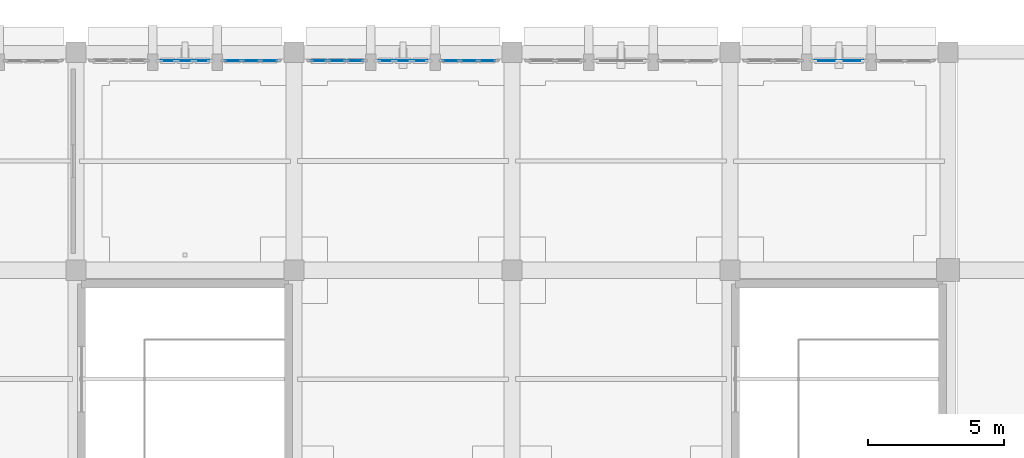
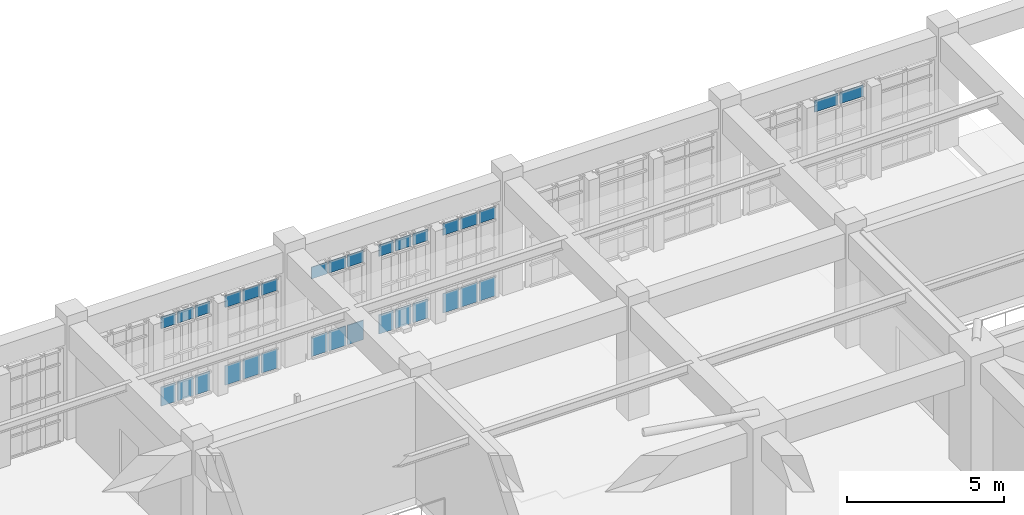
# One storey, part 127 of 155: 32 plates, 6 elements without a shape of their own.
"""IFC4 building model written with IfcOpenShell, lengths in metres."""

from ifc_helpers import new_model, si_unit, direction, frame, origin, origin_2d, place, context, subcontext, project, spatial, rectangle, extrude, material, layer, layer_set, type_object, element, aggregate, save


model = new_model("IFC4")

# Units and contexts
model_context = context("Model", 3, precision=1e-05, world=origin(), true_north=direction((0.0, 1.0)))
body_context = subcontext(model_context, "Body", "Model", "MODEL_VIEW")
ifc_project = project(units=[si_unit("LENGTHUNIT", "METRE"), si_unit("AREAUNIT", "SQUARE_METRE"), si_unit("VOLUMEUNIT", "CUBIC_METRE"), si_unit("PLANEANGLEUNIT", "RADIAN"), si_unit("MASSUNIT", "GRAM", prefix="KILO")], contexts=[model_context])

# Site, building, storey
site_placement = place(None, origin())
site = spatial("IfcSite", under=ifc_project, at=site_placement, CompositionType="ELEMENT")
building_placement = place(site_placement, origin())
building = spatial("IfcBuilding", under=site, at=building_placement, Name="Tazarka Park Arena", CompositionType="ELEMENT")
storey_placement = place(building_placement, frame((0.0, 0.0, 5.39990234375)))
storey = spatial("IfcBuildingStorey", under=building, at=storey_placement, Name="L01", CompositionType="ELEMENT", Elevation=5.39990234375)

# Curtain wall, plates
ifc_material_1 = material(Name="Aluminium and low-e glass", Category="aluminium")
ifc_layer_1 = layer(ifc_material_1, 0.179931640625, Name="Aluminium and low-e glass")
ifc_layer_set_1 = layer_set([ifc_layer_1], Name="Aluminium and low-e glass")
curtain_wall_type_1 = type_object("IfcCurtainWallType", Name="CW-03", PredefinedType="NOTDEFINED", material=ifc_layer_set_1)
curtain_wall_1_placement = place(storey_placement, origin())
curtain_wall_1 = element("IfcCurtainWall", 1, at=curtain_wall_1_placement, inside=storey, type_object=curtain_wall_type_1, Name="Curtain Wall CWA-L01-033", PredefinedType="NOTDEFINED")
ifc_material_2 = material(Name="Double low-e insulated glazing", Category="glass")
ifc_layer_2 = layer(ifc_material_2, 0.028076171875, Name="Double low-e insulated glazing")
ifc_layer_set_2 = layer_set([ifc_layer_2], Name="Double low-e insulated glazing")
plate_type_1 = type_object("IfcPlateType", Name="CWP-01", PredefinedType="CURTAIN_PANEL", material=ifc_layer_set_2)
plate_1_placement = place(storey_placement, frame((101.750244140625, 127.679931640625, 0.065185546875), z_axis=(0.0, 0.0, 1.0), x_axis=(1.0, 0.0, 0.0)))
plate_1 = element("IfcPlate", 2, at=plate_1_placement, type_object=plate_type_1, Name="CW-03 panel 1.1", PredefinedType="CURTAIN_PANEL", context=body_context, shape_type="SweptSolid", body=[
    extrude(rectangle(XDim=0.5869140625, YDim=0.028076171875, at=origin_2d()), origin(), (0.0, 0.0, 1.0), 0.75244140625),
])
plate_2_placement = place(storey_placement, frame((101.750244140625, 127.679931640625, 3.08251953125), z_axis=(0.0, 0.0, 1.0), x_axis=(1.0, 0.0, 0.0)))
plate_2 = element("IfcPlate", 3, at=plate_2_placement, type_object=plate_type_1, Name="CW-03 panel 1.4", PredefinedType="CURTAIN_PANEL", context=body_context, shape_type="SweptSolid", body=[
    extrude(rectangle(XDim=0.5869140625, YDim=0.028076171875, at=origin_2d()), origin(), (0.0, 0.0, 1.0), 0.452392578125),
])
plate_3_placement = place(storey_placement, frame((102.41845703125, 127.679931640625, 0.065185546875), z_axis=(0.0, 0.0, 1.0), x_axis=(1.0, 0.0, 0.0)))
plate_3 = element("IfcPlate", 4, at=plate_3_placement, type_object=plate_type_1, Name="CW-03 panel 2.1", PredefinedType="CURTAIN_PANEL", context=body_context, shape_type="SweptSolid", body=[
    extrude(rectangle(XDim=0.619384765625, YDim=0.028076171875, at=origin_2d()), origin(), (0.0, 0.0, 1.0), 0.75244140625),
])
plate_4_placement = place(storey_placement, frame((102.41845703125, 127.679931640625, 3.08251953125), z_axis=(0.0, 0.0, 1.0), x_axis=(1.0, 0.0, 0.0)))
plate_4 = element("IfcPlate", 5, at=plate_4_placement, type_object=plate_type_1, Name="CW-03 panel 2.4", PredefinedType="CURTAIN_PANEL", context=body_context, shape_type="SweptSolid", body=[
    extrude(rectangle(XDim=0.619384765625, YDim=0.028076171875, at=origin_2d()), origin(), (0.0, 0.0, 1.0), 0.452392578125),
])
plate_5_placement = place(storey_placement, frame((103.08642578125, 127.679931640625, 0.065185546875), z_axis=(0.0, 0.0, 1.0), x_axis=(1.0, 0.0, 0.0)))
plate_5 = element("IfcPlate", 6, at=plate_5_placement, type_object=plate_type_1, Name="CW-03 panel 3.1", PredefinedType="CURTAIN_PANEL", context=body_context, shape_type="SweptSolid", body=[
    extrude(rectangle(XDim=0.5869140625, YDim=0.028076171875, at=origin_2d()), origin(), (0.0, 0.0, 1.0), 0.75244140625),
])
plate_6_placement = place(storey_placement, frame((103.08642578125, 127.679931640625, 3.08251953125), z_axis=(0.0, 0.0, 1.0), x_axis=(1.0, 0.0, 0.0)))
plate_6 = element("IfcPlate", 7, at=plate_6_placement, type_object=plate_type_1, Name="CW-03 panel 3.4", PredefinedType="CURTAIN_PANEL", context=body_context, shape_type="SweptSolid", body=[
    extrude(rectangle(XDim=0.5869140625, YDim=0.028076171875, at=origin_2d()), origin(), (0.0, 0.0, 1.0), 0.452392578125),
])
aggregate(curtain_wall_1, [plate_1, plate_2, plate_3, plate_4, plate_5, plate_6])

ifc_material_3 = material(Name="Aluminium and low-e glass", Category="aluminium")
ifc_layer_3 = layer(ifc_material_3, 0.179931640625, Name="Aluminium and low-e glass")
ifc_layer_set_3 = layer_set([ifc_layer_3], Name="Aluminium and low-e glass")
curtain_wall_type_2 = type_object("IfcCurtainWallType", Name="CW-06", PredefinedType="NOTDEFINED", material=ifc_layer_set_3)
curtain_wall_2_placement = place(storey_placement, origin())
curtain_wall_2 = element("IfcCurtainWall", 8, at=curtain_wall_2_placement, inside=storey, type_object=curtain_wall_type_2, Name="Curtain Wall CWA-L01-036", PredefinedType="NOTDEFINED")
plate_7_placement = place(storey_placement, frame((93.750244140625, 127.679931640625, 0.065185546875), z_axis=(0.0, 0.0, 1.0), x_axis=(1.0, 0.0, 0.0)))
plate_7 = element("IfcPlate", 9, at=plate_7_placement, type_object=plate_type_1, Name="CW-06 panel 1.1", PredefinedType="CURTAIN_PANEL", context=body_context, shape_type="SweptSolid", body=[
    extrude(rectangle(XDim=0.5869140625, YDim=0.028076171875, at=origin_2d()), origin(), (0.0, 0.0, 1.0), 0.75244140625),
])
plate_8_placement = place(storey_placement, frame((93.750244140625, 127.679931640625, 3.08251953125), z_axis=(0.0, 0.0, 1.0), x_axis=(1.0, 0.0, 0.0)))
plate_8 = element("IfcPlate", 10, at=plate_8_placement, type_object=plate_type_1, Name="CW-06 panel 1.4", PredefinedType="CURTAIN_PANEL", context=body_context, shape_type="SweptSolid", body=[
    extrude(rectangle(XDim=0.5869140625, YDim=0.028076171875, at=origin_2d()), origin(), (0.0, 0.0, 1.0), 0.452392578125),
])
plate_9_placement = place(storey_placement, frame((94.41845703125, 127.679931640625, 0.065185546875), z_axis=(0.0, 0.0, 1.0), x_axis=(1.0, 0.0, 0.0)))
plate_9 = element("IfcPlate", 11, at=plate_9_placement, type_object=plate_type_1, Name="CW-06 panel 2.1", PredefinedType="CURTAIN_PANEL", context=body_context, shape_type="SweptSolid", body=[
    extrude(rectangle(XDim=0.619384765625, YDim=0.028076171875, at=origin_2d()), origin(), (0.0, 0.0, 1.0), 0.75244140625),
])
plate_10_placement = place(storey_placement, frame((94.41845703125, 127.679931640625, 3.08251953125), z_axis=(0.0, 0.0, 1.0), x_axis=(1.0, 0.0, 0.0)))
plate_10 = element("IfcPlate", 12, at=plate_10_placement, type_object=plate_type_1, Name="CW-06 panel 2.4", PredefinedType="CURTAIN_PANEL", context=body_context, shape_type="SweptSolid", body=[
    extrude(rectangle(XDim=0.619384765625, YDim=0.028076171875, at=origin_2d()), origin(), (0.0, 0.0, 1.0), 0.452392578125),
])
plate_11_placement = place(storey_placement, frame((95.08642578125, 127.679931640625, 0.065185546875), z_axis=(0.0, 0.0, 1.0), x_axis=(1.0, 0.0, 0.0)))
plate_11 = element("IfcPlate", 13, at=plate_11_placement, type_object=plate_type_1, Name="CW-06 panel 3.1", PredefinedType="CURTAIN_PANEL", context=body_context, shape_type="SweptSolid", body=[
    extrude(rectangle(XDim=0.5869140625, YDim=0.028076171875, at=origin_2d()), origin(), (0.0, 0.0, 1.0), 0.75244140625),
])
plate_12_placement = place(storey_placement, frame((95.08642578125, 127.679931640625, 3.08251953125), z_axis=(0.0, 0.0, 1.0), x_axis=(1.0, 0.0, 0.0)))
plate_12 = element("IfcPlate", 14, at=plate_12_placement, type_object=plate_type_1, Name="CW-06 panel 3.4", PredefinedType="CURTAIN_PANEL", context=body_context, shape_type="SweptSolid", body=[
    extrude(rectangle(XDim=0.5869140625, YDim=0.028076171875, at=origin_2d()), origin(), (0.0, 0.0, 1.0), 0.452392578125),
])
aggregate(curtain_wall_2, [plate_7, plate_8, plate_9, plate_10, plate_11, plate_12])

ifc_material_4 = material(Name="Aluminium and low-e glass", Category="aluminium")
ifc_layer_4 = layer(ifc_material_4, 0.179931640625, Name="Aluminium and low-e glass")
ifc_layer_set_4 = layer_set([ifc_layer_4], Name="Aluminium and low-e glass")
curtain_wall_type_3 = type_object("IfcCurtainWallType", Name="CW-01", PredefinedType="NOTDEFINED", material=ifc_layer_set_4)
curtain_wall_3_placement = place(storey_placement, origin())
curtain_wall_3 = element("IfcCurtainWall", 15, at=curtain_wall_3_placement, inside=storey, type_object=curtain_wall_type_3, Name="Curtain Wall CWA-L01-031", PredefinedType="NOTDEFINED")
ifc_material_5 = material(Name="Triple acoustic solar glazing", Category="glass")
ifc_layer_5 = layer(ifc_material_5, 0.031982421875, Name="Triple acoustic solar glazing")
ifc_layer_set_5 = layer_set([ifc_layer_5], Name="Triple acoustic solar glazing")
plate_type_2 = type_object("IfcPlateType", Name="CWP-02", PredefinedType="CURTAIN_PANEL", material=ifc_layer_set_5)
plate_13_placement = place(storey_placement, frame((96.91357421875, 127.679931640625, 0.065185546875), z_axis=(0.0, 0.0, 1.0), x_axis=(1.0, 0.0, 0.0)))
plate_13 = element("IfcPlate", 16, at=plate_13_placement, type_object=plate_type_2, Name="CW-01 panel 1.1", PredefinedType="CURTAIN_PANEL", context=body_context, shape_type="SweptSolid", body=[
    extrude(rectangle(XDim=0.5869140625, YDim=0.031982421875, at=origin_2d()), origin(), (0.0, 0.0, 1.0), 0.75244140625),
])
plate_14_placement = place(storey_placement, frame((96.91357421875, 127.679931640625, 3.08251953125), z_axis=(0.0, 0.0, 1.0), x_axis=(1.0, 0.0, 0.0)))
plate_14 = element("IfcPlate", 17, at=plate_14_placement, type_object=plate_type_2, Name="CW-01 panel 1.4", PredefinedType="CURTAIN_PANEL", context=body_context, shape_type="SweptSolid", body=[
    extrude(rectangle(XDim=0.5869140625, YDim=0.031982421875, at=origin_2d()), origin(), (0.0, 0.0, 1.0), 0.452392578125),
])
plate_15_placement = place(storey_placement, frame((97.58154296875, 127.679931640625, 0.065185546875), z_axis=(0.0, 0.0, 1.0), x_axis=(1.0, 0.0, 0.0)))
plate_15 = element("IfcPlate", 18, at=plate_15_placement, type_object=plate_type_2, Name="CW-01 panel 2.1", PredefinedType="CURTAIN_PANEL", context=body_context, shape_type="SweptSolid", body=[
    extrude(rectangle(XDim=0.619384765625, YDim=0.031982421875, at=origin_2d()), origin(), (0.0, 0.0, 1.0), 0.75244140625),
])
plate_16_placement = place(storey_placement, frame((97.58154296875, 127.679931640625, 3.08251953125), z_axis=(0.0, 0.0, 1.0), x_axis=(1.0, 0.0, 0.0)))
plate_16 = element("IfcPlate", 19, at=plate_16_placement, type_object=plate_type_2, Name="CW-01 panel 2.4", PredefinedType="CURTAIN_PANEL", context=body_context, shape_type="SweptSolid", body=[
    extrude(rectangle(XDim=0.619384765625, YDim=0.031982421875, at=origin_2d()), origin(), (0.0, 0.0, 1.0), 0.452392578125),
])
plate_17_placement = place(storey_placement, frame((98.249755859375, 127.679931640625, 0.065185546875), z_axis=(0.0, 0.0, 1.0), x_axis=(1.0, 0.0, 0.0)))
plate_17 = element("IfcPlate", 20, at=plate_17_placement, type_object=plate_type_2, Name="CW-01 panel 3.1", PredefinedType="CURTAIN_PANEL", context=body_context, shape_type="SweptSolid", body=[
    extrude(rectangle(XDim=0.5869140625, YDim=0.031982421875, at=origin_2d()), origin(), (0.0, 0.0, 1.0), 0.75244140625),
])
plate_18_placement = place(storey_placement, frame((98.249755859375, 127.679931640625, 3.08251953125), z_axis=(0.0, 0.0, 1.0), x_axis=(1.0, 0.0, 0.0)))
plate_18 = element("IfcPlate", 21, at=plate_18_placement, type_object=plate_type_2, Name="CW-01 panel 3.4", PredefinedType="CURTAIN_PANEL", context=body_context, shape_type="SweptSolid", body=[
    extrude(rectangle(XDim=0.5869140625, YDim=0.031982421875, at=origin_2d()), origin(), (0.0, 0.0, 1.0), 0.452392578125),
])
aggregate(curtain_wall_3, [plate_13, plate_14, plate_15, plate_16, plate_17, plate_18])

ifc_material_6 = material(Name="Aluminium and low-e glass", Category="aluminium")
ifc_layer_6 = layer(ifc_material_6, 0.179931640625, Name="Aluminium and low-e glass")
ifc_layer_set_6 = layer_set([ifc_layer_6], Name="Aluminium and low-e glass")
curtain_wall_type_4 = type_object("IfcCurtainWallType", Name="CW-26", PredefinedType="NOTDEFINED", material=ifc_layer_set_6)
curtain_wall_4_placement = place(storey_placement, origin())
curtain_wall_4 = element("IfcCurtainWall", 22, at=curtain_wall_4_placement, inside=storey, type_object=curtain_wall_type_4, Name="Curtain Wall CWA-L01-026", PredefinedType="NOTDEFINED")
ifc_material_7 = material(Name="Insulated aluminium spandrel panel", Category="aluminium")
ifc_layer_7 = layer(ifc_material_7, 0.035888671875, Name="Insulated aluminium spandrel panel")
ifc_layer_set_7 = layer_set([ifc_layer_7], Name="Insulated aluminium spandrel panel")
plate_type_3 = type_object("IfcPlateType", Name="CWP-03", PredefinedType="CURTAIN_PANEL", material=ifc_layer_set_7)
plate_19_placement = place(storey_placement, frame((115.532958984375, 127.679931640625, 3.087646484375), z_axis=(0.0, 0.0, 1.0), x_axis=(1.0, 0.0, 0.0)))
plate_19 = element("IfcPlate", 23, at=plate_19_placement, type_object=plate_type_3, Name="CW-26 panel 1.4", PredefinedType="CURTAIN_PANEL", context=body_context, shape_type="SweptSolid", body=[
    extrude(rectangle(XDim=0.859130859375, YDim=0.035888671875, at=origin_2d()), origin(), (0.0, 0.0, 1.0), 0.4375),
])
plate_20_placement = place(storey_placement, frame((116.467041015625, 127.679931640625, 3.087646484375), z_axis=(0.0, 0.0, 1.0), x_axis=(1.0, 0.0, 0.0)))
plate_20 = element("IfcPlate", 24, at=plate_20_placement, type_object=plate_type_3, Name="CW-26 panel 2.4", PredefinedType="CURTAIN_PANEL", context=body_context, shape_type="SweptSolid", body=[
    extrude(rectangle(XDim=0.859130859375, YDim=0.035888671875, at=origin_2d()), origin(), (0.0, 0.0, 1.0), 0.4375),
])
aggregate(curtain_wall_4, [plate_19, plate_20])

ifc_material_8 = material(Name="Aluminium and low-e glass", Category="aluminium")
ifc_layer_8 = layer(ifc_material_8, 0.179931640625, Name="Aluminium and low-e glass")
ifc_layer_set_8 = layer_set([ifc_layer_8], Name="Aluminium and low-e glass")
curtain_wall_type_5 = type_object("IfcCurtainWallType", Name="CW-02", PredefinedType="NOTDEFINED", material=ifc_layer_set_8)
curtain_wall_5_placement = place(storey_placement, origin())
curtain_wall_5 = element("IfcCurtainWall", 25, at=curtain_wall_5_placement, inside=storey, type_object=curtain_wall_type_5, Name="Curtain Wall CWA-L01-032", PredefinedType="NOTDEFINED")
plate_21_placement = place(storey_placement, frame((99.370849609375, 127.679931640625, 0.0751953125), z_axis=(0.0, 0.0, 1.0), x_axis=(1.0, 0.0, 0.0)))
plate_21 = element("IfcPlate", 26, at=plate_21_placement, type_object=plate_type_3, Name="CW-02 panel 1.1", PredefinedType="CURTAIN_PANEL", context=body_context, shape_type="SweptSolid", body=[
    extrude(rectangle(XDim=0.535400390625, YDim=0.035888671875, at=origin_2d()), origin(), (0.0, 0.0, 1.0), 0.737548828125),
])
plate_22_placement = place(storey_placement, frame((99.370849609375, 127.679931640625, 3.087646484375), z_axis=(0.0, 0.0, 1.0), x_axis=(1.0, 0.0, 0.0)))
plate_22 = element("IfcPlate", 27, at=plate_22_placement, type_object=plate_type_3, Name="CW-02 panel 1.4", PredefinedType="CURTAIN_PANEL", context=body_context, shape_type="SweptSolid", body=[
    extrude(rectangle(XDim=0.535400390625, YDim=0.035888671875, at=origin_2d()), origin(), (0.0, 0.0, 1.0), 0.4375),
])
plate_23_placement = place(storey_placement, frame((100.0, 127.679931640625, 0.0751953125), z_axis=(0.0, 0.0, 1.0), x_axis=(1.0, 0.0, 0.0)))
plate_23 = element("IfcPlate", 28, at=plate_23_placement, type_object=plate_type_3, Name="CW-02 panel 2.1", PredefinedType="CURTAIN_PANEL", context=body_context, shape_type="SweptSolid", body=[
    extrude(rectangle(XDim=0.57275390625, YDim=0.035888671875, at=origin_2d()), origin(), (0.0, 0.0, 1.0), 0.737548828125),
])
plate_24_placement = place(storey_placement, frame((100.0, 127.679931640625, 3.087646484375), z_axis=(0.0, 0.0, 1.0), x_axis=(1.0, 0.0, 0.0)))
plate_24 = element("IfcPlate", 29, at=plate_24_placement, type_object=plate_type_3, Name="CW-02 panel 2.4", PredefinedType="CURTAIN_PANEL", context=body_context, shape_type="SweptSolid", body=[
    extrude(rectangle(XDim=0.57275390625, YDim=0.035888671875, at=origin_2d()), origin(), (0.0, 0.0, 1.0), 0.4375),
])
plate_25_placement = place(storey_placement, frame((100.629150390625, 127.679931640625, 0.0751953125), z_axis=(0.0, 0.0, 1.0), x_axis=(1.0, 0.0, 0.0)))
plate_25 = element("IfcPlate", 30, at=plate_25_placement, type_object=plate_type_3, Name="CW-02 panel 3.1", PredefinedType="CURTAIN_PANEL", context=body_context, shape_type="SweptSolid", body=[
    extrude(rectangle(XDim=0.535400390625, YDim=0.035888671875, at=origin_2d()), origin(), (0.0, 0.0, 1.0), 0.737548828125),
])
plate_26_placement = place(storey_placement, frame((100.629150390625, 127.679931640625, 3.087646484375), z_axis=(0.0, 0.0, 1.0), x_axis=(1.0, 0.0, 0.0)))
plate_26 = element("IfcPlate", 31, at=plate_26_placement, type_object=plate_type_3, Name="CW-02 panel 3.4", PredefinedType="CURTAIN_PANEL", context=body_context, shape_type="SweptSolid", body=[
    extrude(rectangle(XDim=0.535400390625, YDim=0.035888671875, at=origin_2d()), origin(), (0.0, 0.0, 1.0), 0.4375),
])
aggregate(curtain_wall_5, [plate_21, plate_22, plate_23, plate_24, plate_25, plate_26])

ifc_material_9 = material(Name="Aluminium and low-e glass", Category="aluminium")
ifc_layer_9 = layer(ifc_material_9, 0.179931640625, Name="Aluminium and low-e glass")
ifc_layer_set_9 = layer_set([ifc_layer_9], Name="Aluminium and low-e glass")
curtain_wall_type_6 = type_object("IfcCurtainWallType", Name="CW-05", PredefinedType="NOTDEFINED", material=ifc_layer_set_9)
curtain_wall_6_placement = place(storey_placement, origin())
curtain_wall_6 = element("IfcCurtainWall", 32, at=curtain_wall_6_placement, inside=storey, type_object=curtain_wall_type_6, Name="Curtain Wall CWA-L01-035", PredefinedType="NOTDEFINED")
plate_27_placement = place(storey_placement, frame((91.370849609375, 127.679931640625, 0.0751953125), z_axis=(0.0, 0.0, 1.0), x_axis=(1.0, 0.0, 0.0)))
plate_27 = element("IfcPlate", 33, at=plate_27_placement, type_object=plate_type_3, Name="CW-05 panel 1.1", PredefinedType="CURTAIN_PANEL", context=body_context, shape_type="SweptSolid", body=[
    extrude(rectangle(XDim=0.535400390625, YDim=0.035888671875, at=origin_2d()), origin(), (0.0, 0.0, 1.0), 0.737548828125),
])
plate_28_placement = place(storey_placement, frame((91.370849609375, 127.679931640625, 3.087646484375), z_axis=(0.0, 0.0, 1.0), x_axis=(1.0, 0.0, 0.0)))
plate_28 = element("IfcPlate", 34, at=plate_28_placement, type_object=plate_type_3, Name="CW-05 panel 1.4", PredefinedType="CURTAIN_PANEL", context=body_context, shape_type="SweptSolid", body=[
    extrude(rectangle(XDim=0.535400390625, YDim=0.035888671875, at=origin_2d()), origin(), (0.0, 0.0, 1.0), 0.4375),
])
plate_29_placement = place(storey_placement, frame((92.0, 127.679931640625, 0.0751953125), z_axis=(0.0, 0.0, 1.0), x_axis=(1.0, 0.0, 0.0)))
plate_29 = element("IfcPlate", 35, at=plate_29_placement, type_object=plate_type_3, Name="CW-05 panel 2.1", PredefinedType="CURTAIN_PANEL", context=body_context, shape_type="SweptSolid", body=[
    extrude(rectangle(XDim=0.57275390625, YDim=0.035888671875, at=origin_2d()), origin(), (0.0, 0.0, 1.0), 0.737548828125),
])
plate_30_placement = place(storey_placement, frame((92.0, 127.679931640625, 3.087646484375), z_axis=(0.0, 0.0, 1.0), x_axis=(1.0, 0.0, 0.0)))
plate_30 = element("IfcPlate", 36, at=plate_30_placement, type_object=plate_type_3, Name="CW-05 panel 2.4", PredefinedType="CURTAIN_PANEL", context=body_context, shape_type="SweptSolid", body=[
    extrude(rectangle(XDim=0.57275390625, YDim=0.035888671875, at=origin_2d()), origin(), (0.0, 0.0, 1.0), 0.4375),
])
plate_31_placement = place(storey_placement, frame((92.629150390625, 127.679931640625, 0.0751953125), z_axis=(0.0, 0.0, 1.0), x_axis=(1.0, 0.0, 0.0)))
plate_31 = element("IfcPlate", 37, at=plate_31_placement, type_object=plate_type_3, Name="CW-05 panel 3.1", PredefinedType="CURTAIN_PANEL", context=body_context, shape_type="SweptSolid", body=[
    extrude(rectangle(XDim=0.535400390625, YDim=0.035888671875, at=origin_2d()), origin(), (0.0, 0.0, 1.0), 0.737548828125),
])
plate_32_placement = place(storey_placement, frame((92.629150390625, 127.679931640625, 3.087646484375), z_axis=(0.0, 0.0, 1.0), x_axis=(1.0, 0.0, 0.0)))
plate_32 = element("IfcPlate", 38, at=plate_32_placement, type_object=plate_type_3, Name="CW-05 panel 3.4", PredefinedType="CURTAIN_PANEL", context=body_context, shape_type="SweptSolid", body=[
    extrude(rectangle(XDim=0.535400390625, YDim=0.035888671875, at=origin_2d()), origin(), (0.0, 0.0, 1.0), 0.4375),
])
aggregate(curtain_wall_6, [plate_27, plate_28, plate_29, plate_30, plate_31, plate_32])

save(model, "model.ifc")
